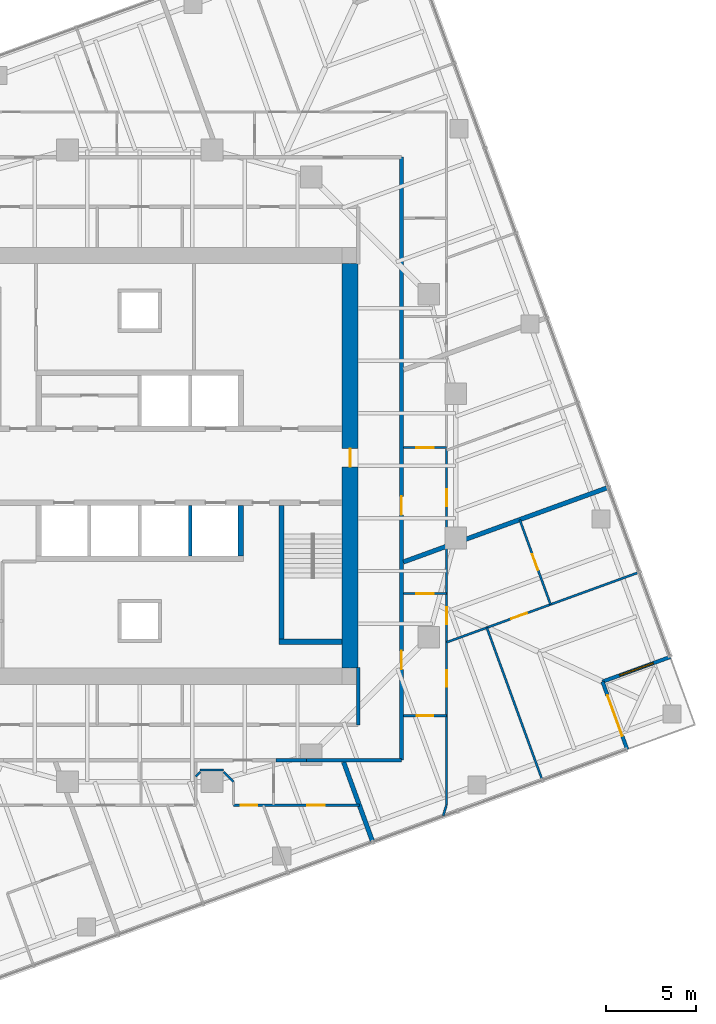
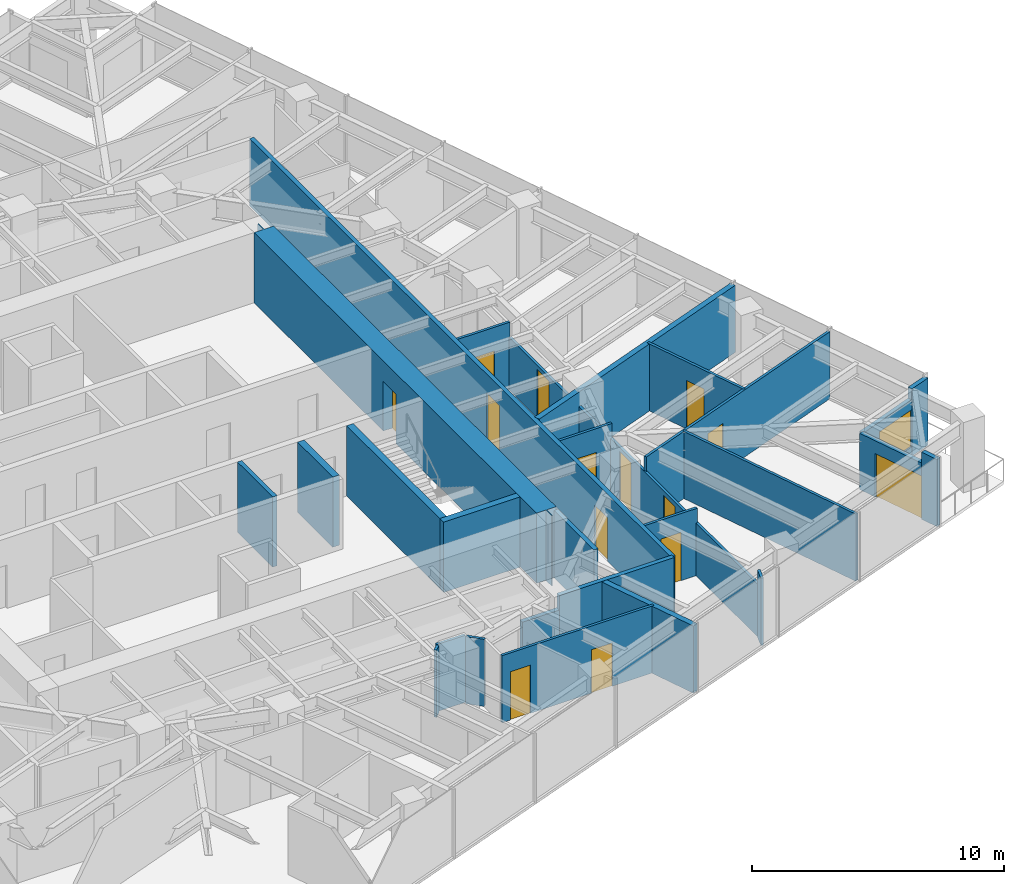
# One storey, part 9 of 13: 27 walls, 14 doors, 1 window, 15 openings.
"""IFC4 building model written with IfcOpenShell, lengths in metres."""

from ifc_helpers import new_model, si_unit, direction, frame, frame_2d, origin, place, context, subcontext, project, spatial, polyline, rectangle, outline, extrude, material, layer, layer_set, type_object, element, fill, save


model = new_model("IFC4")

# Units and contexts
model_context = context("Model", 3, precision=1e-05, world=origin(), true_north=direction((0.0, 1.0)))
body_context = subcontext(model_context, "Body", "Model", "MODEL_VIEW")
ifc_project = project(units=[si_unit("LENGTHUNIT", "METRE"), si_unit("AREAUNIT", "SQUARE_METRE"), si_unit("VOLUMEUNIT", "CUBIC_METRE"), si_unit("PLANEANGLEUNIT", "RADIAN"), si_unit("MASSUNIT", "GRAM", prefix="KILO")], contexts=[model_context])

# Site, building, storey
site_placement = place(None, origin())
site = spatial("IfcSite", under=ifc_project, at=site_placement, CompositionType="ELEMENT")
building_placement = place(site_placement, origin())
building = spatial("IfcBuilding", under=site, at=building_placement, Name="Torsade Residences", CompositionType="ELEMENT")
storey_placement = place(building_placement, frame((0.0, 0.0, 154.0)))
storey = spatial("IfcBuildingStorey", under=building, at=storey_placement, Name="L42", CompositionType="ELEMENT", Elevation=154.0)

# Walls
ifc_material_1 = material(Name="Concrete 80 MPa", Category="concrete")
ifc_layer_1 = layer(ifc_material_1, 0.300048828125)
ifc_layer_set_1 = layer_set([ifc_layer_1], Name="Concrete 80 MPa")
wall_type_1 = type_object("IfcWallType", Name="CORE INTERNAL WALL 300", PredefinedType="SHEAR", material=ifc_layer_set_1)
wall_1_placement = place(storey_placement, frame((45.60009765625, 27.800048828125, 0.0), z_axis=(0.0, 0.0, 1.0), x_axis=(0.0, -1.0, 0.0)))
element("IfcWall", 1, at=wall_1_placement, inside=storey, type_object=wall_type_1, Name="Core wall DS0 L42", PredefinedType="SHEAR", context=body_context, shape_type="SweptSolid", body=[
    extrude(rectangle(XDim=2.800048828125, YDim=0.300048828125, at=frame_2d((1.39990234375, 0.0))), origin(), (0.0, 0.0, 1.0), 3.39990234375),
])
wall_2_placement = place(storey_placement, frame((47.85009765625, 27.800048828125, 0.0), z_axis=(0.0, 0.0, 1.0), x_axis=(0.0, -1.0, 0.0)))
element("IfcWall", 2, at=wall_2_placement, inside=storey, type_object=wall_type_1, Name="Core wall ST2W L42", PredefinedType="SHEAR", context=body_context, shape_type="SweptSolid", body=[
    extrude(rectangle(XDim=7.699951171875, YDim=0.300048828125, at=frame_2d((3.85009765625, 0.0))), origin(), (0.0, 0.0, 1.0), 3.39990234375),
])
wall_3_placement = place(storey_placement, frame((51.199951171875, 20.25, 0.0), z_axis=(0.0, 0.0, 1.0), x_axis=(-1.0, 0.0, 0.0)))
element("IfcWall", 3, at=wall_3_placement, inside=storey, type_object=wall_type_1, Name="Core wall ST2S L42", PredefinedType="SHEAR", context=body_context, shape_type="SweptSolid", body=[
    extrude(rectangle(XDim=3.5, YDim=0.300048828125, at=frame_2d((1.75, 0.0))), origin(), (0.0, 0.0, 1.0), 3.39990234375),
])

# Wall, opening, door
ifc_material_2 = material(Name="Concrete 80 MPa", Category="concrete")
ifc_layer_2 = layer(ifc_material_2, 0.89990234375)
ifc_layer_set_2 = layer_set([ifc_layer_2], Name="Concrete 80 MPa")
wall_type_2 = type_object("IfcWallType", Name="CORE WALL 900", PredefinedType="SHEAR", material=ifc_layer_set_2)
wall_4_placement = place(storey_placement, frame((51.64990234375, 18.800048828125, 0.0), z_axis=(0.0, 0.0, 1.0), x_axis=(0.0, 1.0, 0.0)))
wall_4 = element("IfcWall", 4, at=wall_4_placement, inside=storey, type_object=wall_type_2, Name="Core wall E L42", PredefinedType="SHEAR", context=body_context, shape_type="SweptSolid", body=[
    extrude(outline(polyline([(0.0, -0.449951171875), (22.39990234375, -0.449951171875), (22.39990234375, -0.02490234375), (22.849853515625, -0.02490234375), (22.849853515625, 0.02490234375), (22.39990234375, 0.02490234375), (22.39990234375, 0.449951171875), (0.0, 0.449951171875), (0.0, 0.02490234375), (-0.449951171875, 0.02490234375), (-0.449951171875, -0.02490234375), (0.0, -0.02490234375), (0.0, -0.449951171875)])), origin(), (0.0, 0.0, 1.0), 3.39990234375),
])
opening_1_placement = place(wall_4_placement, frame((11.139892578125, 0.0, 0.0)))
opening_1 = element("IfcOpeningElement", 5, at=opening_1_placement, cuts=wall_4, Name="Opening D04", PredefinedType="OPENING", context=body_context, shape_type="SweptSolid", body=[
    extrude(rectangle(XDim=1.02001953125, YDim=2.39990234375, at=frame_2d((0.510009765625, 1.199951171875))), frame((0.0, 0.4599609375, 0.0), z_axis=(0.0, -1.0, 0.0), x_axis=(1.0, 0.0, 0.0)), (0.0, 0.0, 1.0), 0.919921875),
])
ifc_material_3 = material(Name="Steel-framed fire door", Category="steel")
door_type_1 = type_object("IfcDoorType", Name="LOBBY SMOKE DOOR 1020x2400", OperationType="NOTDEFINED", PredefinedType="DOOR", material=ifc_material_3)
door_1_placement = place(opening_1_placement, origin())
door_1 = element("IfcDoor", 6, at=door_1_placement, inside=storey, type_object=door_type_1, Name="Lift lobby door E L42", OperationType="SINGLE_SWING_LEFT", OverallHeight=2.39990234375, OverallWidth=1.02001953125, PredefinedType="DOOR", context=body_context, shape_type="SweptSolid", body=[
    extrude(rectangle(XDim=1.02001953125, YDim=2.39990234375, at=frame_2d((0.510009765625, 1.199951171875))), frame((0.0, 0.02490234375, 0.0), z_axis=(0.0, -1.0, 0.0), x_axis=(1.0, 0.0, 0.0)), (0.0, 0.0, 1.0), 0.050048828125),
])
fill(opening_1, door_1)

# Walls
ifc_material_4 = material(Name="Plasterboard on steel stud", Category="steel")
ifc_layer_3 = layer(ifc_material_4, 0.199951171875)
ifc_layer_set_3 = layer_set([ifc_layer_3], Name="Plasterboard on steel stud")
wall_type_3 = type_object("IfcWallType", Name="CORRIDOR WALL 200", PredefinedType="PARTITIONING", material=ifc_layer_set_3)
wall_5_placement = place(storey_placement, frame((47.558349609375, 13.699951171875, 0.0), z_axis=(0.0, 0.0, 1.0), x_axis=(1.0, 0.0, 0.0)))
element("IfcWall", 7, at=wall_5_placement, inside=storey, type_object=wall_type_3, Name="Corridor wall L42", PredefinedType="PARTITIONING", context=body_context, shape_type="SweptSolid", body=[
    extrude(rectangle(XDim=1.683349609375, YDim=0.199951171875, at=frame_2d((0.841796875, 0.0))), origin(), (0.0, 0.0, 1.0), 2.550048828125),
])
wall_6_placement = place(storey_placement, frame((49.24169921875, 13.699951171875, 0.0), z_axis=(0.0, 0.0, 1.0), x_axis=(1.0, 0.0, 0.0)))
element("IfcWall", 8, at=wall_6_placement, inside=storey, type_object=wall_type_3, Name="Corridor wall L42", PredefinedType="PARTITIONING", context=body_context, shape_type="SweptSolid", body=[
    extrude(rectangle(XDim=5.25830078125, YDim=0.199951171875, at=frame_2d((2.629150390625, 0.0))), origin(), (0.0, 0.0, 1.0), 3.25),
])

# Wall, openings, doors
wall_7_placement = place(storey_placement, frame((54.5, 13.699951171875, 0.0), z_axis=(0.0, 0.0, 1.0), x_axis=(0.0, 1.0, 0.0)))
wall_7 = element("IfcWall", 9, at=wall_7_placement, inside=storey, type_object=wall_type_3, Name="Corridor wall L42", PredefinedType="PARTITIONING", context=body_context, shape_type="SweptSolid", body=[
    extrude(rectangle(XDim=33.400146484375, YDim=0.199951171875, at=frame_2d((16.7001953125, 0.0))), origin(), (0.0, 0.0, 1.0), 3.25),
])
opening_2_placement = place(wall_7_placement, frame((5.02783203125, 0.0, 0.0)))
opening_2 = element("IfcOpeningElement", 10, at=opening_2_placement, cuts=wall_7, Name="Opening D01L", PredefinedType="OPENING", context=body_context, shape_type="SweptSolid", body=[
    extrude(rectangle(XDim=1.02001953125, YDim=2.10009765625, at=frame_2d((0.510009765625, 1.050048828125))), frame((0.0, 0.10986328125, 0.0), z_axis=(0.0, -1.0, 0.0), x_axis=(1.0, 0.0, 0.0)), (0.0, 0.0, 1.0), 0.219970703125),
])
opening_3_placement = place(wall_7_placement, frame((13.58740234375, 0.0, 0.0)))
opening_3 = element("IfcOpeningElement", 11, at=opening_3_placement, cuts=wall_7, Name="Opening D01", PredefinedType="OPENING", context=body_context, shape_type="SweptSolid", body=[
    extrude(rectangle(XDim=1.02001953125, YDim=2.340087890625, at=frame_2d((0.510009765625, 1.169921875))), frame((0.0, 0.10986328125, 0.0), z_axis=(0.0, -1.0, 0.0), x_axis=(1.0, 0.0, 0.0)), (0.0, 0.0, 1.0), 0.219970703125),
])
ifc_material_5 = material(Name="Solid-core timber fire door", Category="wood")
door_type_2 = type_object("IfcDoorType", Name="APARTMENT ENTRY DOOR 1020x2100", OperationType="NOTDEFINED", PredefinedType="DOOR", material=ifc_material_5)
door_2_placement = place(opening_2_placement, origin())
door_2 = element("IfcDoor", 12, at=door_2_placement, inside=storey, type_object=door_type_2, Name="Door Residential corridor to Kitchen and dining", OperationType="SINGLE_SWING_LEFT", OverallHeight=2.10009765625, OverallWidth=1.02001953125, PredefinedType="DOOR", context=body_context, shape_type="SweptSolid", body=[
    extrude(rectangle(XDim=1.02001953125, YDim=2.10009765625, at=frame_2d((0.510009765625, 1.050048828125))), frame((0.0, 0.02490234375, 0.0), z_axis=(0.0, -1.0, 0.0), x_axis=(1.0, 0.0, 0.0)), (0.0, 0.0, 1.0), 0.050048828125),
])
fill(opening_2, door_2)
ifc_material_6 = material(Name="Solid-core timber fire door", Category="wood")
door_type_3 = type_object("IfcDoorType", Name="APARTMENT ENTRY DOOR 1020x2340", OperationType="NOTDEFINED", PredefinedType="DOOR", material=ifc_material_6)
door_3_placement = place(opening_3_placement, origin())
door_3 = element("IfcDoor", 13, at=door_3_placement, inside=storey, type_object=door_type_3, Name="Door Residential corridor to Kitchen and dining", OperationType="SINGLE_SWING_RIGHT", OverallHeight=2.340087890625, OverallWidth=1.02001953125, PredefinedType="DOOR", context=body_context, shape_type="SweptSolid", body=[
    extrude(rectangle(XDim=1.02001953125, YDim=2.340087890625, at=frame_2d((0.510009765625, 1.169921875))), frame((0.0, 0.02490234375, 0.0), z_axis=(0.0, -1.0, 0.0), x_axis=(1.0, 0.0, 0.0)), (0.0, 0.0, 1.0), 0.050048828125),
])
fill(opening_3, door_3)

# Walls
wall_8_placement = place(storey_placement, frame((52.10009765625, 15.64990234375, 0.0), z_axis=(0.0, 0.0, 1.0), x_axis=(0.0, 1.0, 0.0)))
element("IfcWall", 14, at=wall_8_placement, inside=storey, type_object=wall_type_3, Name="Corridor wall L42", PredefinedType="PARTITIONING", context=body_context, shape_type="SweptSolid", body=[
    extrude(rectangle(XDim=3.170166015625, YDim=0.199951171875, at=frame_2d((1.5849609375, 0.0))), origin(), (0.0, 0.0, 1.0), 3.25),
])
ifc_material_7 = material(Name="Reinforced blockwork", Category="masonry")
ifc_layer_4 = layer(ifc_material_7, 0.199951171875)
ifc_layer_set_4 = layer_set([ifc_layer_4], Name="Reinforced blockwork")
wall_type_4 = type_object("IfcWallType", Name="LIFT SHAFT DIVIDING WALL 200", PredefinedType="SOLIDWALL", material=ifc_layer_set_4)
wall_9_placement = place(storey_placement, frame((42.800048828125, 27.800048828125, 0.0), z_axis=(0.0, 0.0, 1.0), x_axis=(0.0, -1.0, 0.0)))
element("IfcWall", 15, at=wall_9_placement, inside=storey, type_object=wall_type_4, Name="Core wall DS1 L42", PredefinedType="SOLIDWALL", context=body_context, shape_type="SweptSolid", body=[
    extrude(rectangle(XDim=2.800048828125, YDim=0.199951171875, at=frame_2d((1.39990234375, 0.0))), origin(), (0.0, 0.0, 1.0), 3.39990234375),
])

# Wall, openings, doors
ifc_material_8 = material(Name="Plasterboard on steel stud", Category="steel")
ifc_layer_5 = layer(ifc_material_8, 0.1201171875)
ifc_layer_set_5 = layer_set([ifc_layer_5], Name="Plasterboard on steel stud")
wall_type_5 = type_object("IfcWallType", Name="PARTITION 120", PredefinedType="PARTITIONING", material=ifc_layer_set_5)
wall_10_placement = place(storey_placement, frame((52.16357421875, 11.199951171875, 0.0), z_axis=(0.0, 0.0, 1.0), x_axis=(-1.0, 0.0, 0.0)))
wall_10 = element("IfcWall", 16, at=wall_10_placement, inside=storey, type_object=wall_type_5, Name="Partition L42", PredefinedType="PARTITIONING", context=body_context, shape_type="SweptSolid", body=[
    extrude(rectangle(XDim=6.963623046875, YDim=0.1201171875, at=frame_2d((3.48193359375, 0.0))), origin(), (0.0, 0.0, 1.0), 3.25),
])
opening_4_placement = place(wall_10_placement, frame((5.655517578125, 0.0, 0.0)))
opening_4 = element("IfcOpeningElement", 17, at=opening_4_placement, cuts=wall_10, Name="Opening D02", PredefinedType="OPENING", context=body_context, shape_type="SweptSolid", body=[
    extrude(rectangle(XDim=0.919921875, YDim=2.340087890625, at=frame_2d((0.4599609375, 1.169921875))), frame((0.0, 0.070068359375, 0.0), z_axis=(0.0, -1.0, 0.0), x_axis=(1.0, 0.0, 0.0)), (0.0, 0.0, 1.0), 0.14013671875),
])
opening_5_placement = place(wall_10_placement, frame((1.918701171875, 0.0, 0.0)))
opening_5 = element("IfcOpeningElement", 18, at=opening_5_placement, cuts=wall_10, Name="Opening D05", PredefinedType="OPENING", context=body_context, shape_type="SweptSolid", body=[
    extrude(rectangle(XDim=0.9599609375, YDim=2.10009765625, at=frame_2d((0.47998046875, 1.050048828125))), frame((0.0, 0.070068359375, 0.0), z_axis=(0.0, -1.0, 0.0), x_axis=(1.0, 0.0, 0.0)), (0.0, 0.0, 1.0), 0.14013671875),
])
ifc_material_9 = material(Name="Hollow-core timber door in a steel cavity frame", Category="steel")
door_type_4 = type_object("IfcDoorType", Name="BATHROOM CAVITY SLIDING DOOR 960", OperationType="SLIDING_TO_LEFT", PredefinedType="DOOR", material=ifc_material_9)
door_4_placement = place(opening_5_placement, origin())
door_4 = element("IfcDoor", 19, at=door_4_placement, inside=storey, type_object=door_type_4, Name="Door WC to Bedroom 2", OperationType="SLIDING_TO_LEFT", OverallHeight=2.10009765625, OverallWidth=0.9599609375, PredefinedType="DOOR", context=body_context, shape_type="SweptSolid", body=[
    extrude(rectangle(XDim=0.9599609375, YDim=2.10009765625, at=frame_2d((0.47998046875, 1.050048828125))), frame((0.0, 0.02490234375, 0.0), z_axis=(0.0, -1.0, 0.0), x_axis=(1.0, 0.0, 0.0)), (0.0, 0.0, 1.0), 0.050048828125),
])
fill(opening_5, door_4)
ifc_material_10 = material(Name="Hollow-core timber door", Category="wood")
door_type_5 = type_object("IfcDoorType", Name="INTERNAL DOOR 920x2340", OperationType="NOTDEFINED", PredefinedType="DOOR", material=ifc_material_10)
door_5_placement = place(opening_4_placement, origin())
door_5 = element("IfcDoor", 20, at=door_5_placement, inside=storey, type_object=door_type_5, Name="Door Kitchen and dining to Bedroom 1", OperationType="SINGLE_SWING_LEFT", OverallHeight=2.340087890625, OverallWidth=0.919921875, PredefinedType="DOOR", context=body_context, shape_type="SweptSolid", body=[
    extrude(rectangle(XDim=0.919921875, YDim=2.340087890625, at=frame_2d((0.4599609375, 1.169921875))), frame((0.0, 0.02490234375, 0.0), z_axis=(0.0, -1.0, 0.0), x_axis=(1.0, 0.0, 0.0)), (0.0, 0.0, 1.0), 0.050048828125),
])
fill(opening_4, door_5)

# Walls
wall_11_placement = place(storey_placement, frame((45.199951171875, 12.5, 0.0), z_axis=(0.0, 0.0, 1.0), x_axis=(-0.707106781187, 0.707106781187, 0.0)))
element("IfcWall", 21, at=wall_11_placement, inside=storey, type_object=wall_type_5, Name="Partition L42", PredefinedType="PARTITIONING", context=body_context, shape_type="SweptSolid", body=[
    extrude(rectangle(XDim=0.77783203125, YDim=0.1201171875, at=frame_2d((0.388916015625, 0.0))), origin(), (0.0, 0.0, 1.0), 3.25),
])
wall_12_placement = place(storey_placement, frame((44.64990234375, 13.14990234375, 0.0), z_axis=(0.0, 0.0, 1.0), x_axis=(-1.0, 0.0, 0.0)))
element("IfcWall", 22, at=wall_12_placement, inside=storey, type_object=wall_type_5, Name="Partition L42", PredefinedType="PARTITIONING", context=body_context, shape_type="SweptSolid", body=[
    extrude(rectangle(XDim=1.2998046875, YDim=0.1201171875, at=frame_2d((0.64990234375, 0.0))), origin(), (0.0, 0.0, 1.0), 3.25),
])
wall_13_placement = place(storey_placement, frame((43.35009765625, 13.050048828125, 0.0), z_axis=(0.0, 0.0, 1.0), x_axis=(-0.707106781187, -0.707106781187, 0.0)))
element("IfcWall", 23, at=wall_13_placement, inside=storey, type_object=wall_type_5, Name="Partition L42", PredefinedType="PARTITIONING", context=body_context, shape_type="SweptSolid", body=[
    extrude(rectangle(XDim=0.356689453125, YDim=0.1201171875, at=frame_2d((0.17822265625, 0.0))), origin(), (0.0, 0.0, 1.0), 3.25),
])

# Wall, opening, door
wall_14_placement = place(storey_placement, frame((57.0, 16.15478515625, 0.0), z_axis=(0.0, 0.0, 1.0), x_axis=(-1.0, 0.0, 0.0)))
wall_14 = element("IfcWall", 24, at=wall_14_placement, inside=storey, type_object=wall_type_5, Name="Partition L42", PredefinedType="PARTITIONING", context=body_context, shape_type="SweptSolid", body=[
    extrude(rectangle(XDim=2.39990234375, YDim=0.1201171875, at=frame_2d((1.199951171875, 0.0))), origin(), (0.0, 0.0, 1.0), 3.25),
])
opening_6_placement = place(wall_14_placement, frame((0.739990234375, 0.0, 0.0)))
opening_6 = element("IfcOpeningElement", 25, at=opening_6_placement, cuts=wall_14, Name="Opening D02", PredefinedType="OPENING", context=body_context, shape_type="SweptSolid", body=[
    extrude(rectangle(XDim=0.919921875, YDim=2.340087890625, at=frame_2d((0.4599609375, 1.169921875))), frame((0.0, 0.070068359375, 0.0), z_axis=(0.0, -1.0, 0.0), x_axis=(1.0, 0.0, 0.0)), (0.0, 0.0, 1.0), 0.14013671875),
])
door_6_placement = place(opening_6_placement, origin())
door_6 = element("IfcDoor", 26, at=door_6_placement, inside=storey, type_object=door_type_5, Name="Door Kitchen and dining to Scullery", OperationType="SINGLE_SWING_LEFT", OverallHeight=2.340087890625, OverallWidth=0.919921875, PredefinedType="DOOR", context=body_context, shape_type="SweptSolid", body=[
    extrude(rectangle(XDim=0.919921875, YDim=2.340087890625, at=frame_2d((0.4599609375, 1.169921875))), frame((0.0, 0.02490234375, 0.0), z_axis=(0.0, -1.0, 0.0), x_axis=(1.0, 0.0, 0.0)), (0.0, 0.0, 1.0), 0.050048828125),
])
fill(opening_6, door_6)

wall_15_placement = place(storey_placement, frame((54.60009765625, 22.920654296875, 0.0), z_axis=(0.0, 0.0, 1.0), x_axis=(1.0, 0.0, 0.0)))
wall_15 = element("IfcWall", 27, at=wall_15_placement, inside=storey, type_object=wall_type_5, Name="Partition L42", PredefinedType="PARTITIONING", context=body_context, shape_type="SweptSolid", body=[
    extrude(rectangle(XDim=2.39990234375, YDim=0.1201171875, at=frame_2d((1.199951171875, 0.0))), origin(), (0.0, 0.0, 1.0), 3.25),
])
opening_7_placement = place(wall_15_placement, frame((0.719970703125, 0.0, 0.0)))
opening_7 = element("IfcOpeningElement", 28, at=opening_7_placement, cuts=wall_15, Name="Opening D05", PredefinedType="OPENING", context=body_context, shape_type="SweptSolid", body=[
    extrude(rectangle(XDim=0.9599609375, YDim=2.10009765625, at=frame_2d((0.47998046875, 1.050048828125))), frame((0.0, 0.070068359375, 0.0), z_axis=(0.0, -1.0, 0.0), x_axis=(1.0, 0.0, 0.0)), (0.0, 0.0, 1.0), 0.14013671875),
])
door_7_placement = place(opening_7_placement, origin())
door_7 = element("IfcDoor", 29, at=door_7_placement, inside=storey, type_object=door_type_4, Name="Door Kitchen and dining to Bathroom", OperationType="SLIDING_TO_LEFT", OverallHeight=2.10009765625, OverallWidth=0.9599609375, PredefinedType="DOOR", context=body_context, shape_type="SweptSolid", body=[
    extrude(rectangle(XDim=0.9599609375, YDim=2.10009765625, at=frame_2d((0.47998046875, 1.050048828125))), frame((0.0, 0.02490234375, 0.0), z_axis=(0.0, -1.0, 0.0), x_axis=(1.0, 0.0, 0.0)), (0.0, 0.0, 1.0), 0.050048828125),
])
fill(opening_7, door_7)

# Wall, openings, doors
wall_16_placement = place(storey_placement, frame((57.0, 30.919677734375, 0.0), z_axis=(0.0, 0.0, 1.0), x_axis=(0.0, -1.0, 0.0)))
wall_16 = element("IfcWall", 30, at=wall_16_placement, inside=storey, type_object=wall_type_5, Name="Partition L42", PredefinedType="PARTITIONING", context=body_context, shape_type="SweptSolid", body=[
    extrude(rectangle(XDim=19.7197265625, YDim=0.1201171875, at=frame_2d((9.85986328125, 0.0))), origin(), (0.0, 0.0, 1.0), 2.550048828125),
])
opening_8_placement = place(wall_16_placement, frame((12.243408203125, 0.0, 0.0)))
opening_8 = element("IfcOpeningElement", 31, at=opening_8_placement, cuts=wall_16, Name="Opening D02", PredefinedType="OPENING", context=body_context, shape_type="SweptSolid", body=[
    extrude(rectangle(XDim=0.919921875, YDim=2.340087890625, at=frame_2d((0.4599609375, 1.169921875))), frame((0.0, 0.070068359375, 0.0), z_axis=(0.0, -1.0, 0.0), x_axis=(1.0, 0.0, 0.0)), (0.0, 0.0, 1.0), 0.14013671875),
])
opening_9_placement = place(wall_16_placement, frame((8.763671875, 0.0, 0.0)))
opening_9 = element("IfcOpeningElement", 32, at=opening_9_placement, cuts=wall_16, Name="Opening D02", PredefinedType="OPENING", context=body_context, shape_type="SweptSolid", body=[
    extrude(rectangle(XDim=0.919921875, YDim=2.340087890625, at=frame_2d((0.4599609375, 1.169921875))), frame((0.0, 0.070068359375, 0.0), z_axis=(0.0, -1.0, 0.0), x_axis=(1.0, 0.0, 0.0)), (0.0, 0.0, 1.0), 0.14013671875),
])
opening_10_placement = place(wall_16_placement, frame((2.22705078125, 0.0, 0.0)))
opening_10 = element("IfcOpeningElement", 33, at=opening_10_placement, cuts=wall_16, Name="Opening D02", PredefinedType="OPENING", context=body_context, shape_type="SweptSolid", body=[
    extrude(rectangle(XDim=0.919921875, YDim=2.340087890625, at=frame_2d((0.4599609375, 1.169921875))), frame((0.0, 0.070068359375, 0.0), z_axis=(0.0, -1.0, 0.0), x_axis=(1.0, 0.0, 0.0)), (0.0, 0.0, 1.0), 0.14013671875),
])
door_8_placement = place(opening_8_placement, origin())
door_8 = element("IfcDoor", 34, at=door_8_placement, inside=storey, type_object=door_type_5, Name="Door Kitchen and dining to Bedroom 1", OperationType="SINGLE_SWING_LEFT", OverallHeight=2.340087890625, OverallWidth=0.919921875, PredefinedType="DOOR", context=body_context, shape_type="SweptSolid", body=[
    extrude(rectangle(XDim=0.919921875, YDim=2.340087890625, at=frame_2d((0.4599609375, 1.169921875))), frame((0.0, 0.02490234375, 0.0), z_axis=(0.0, -1.0, 0.0), x_axis=(1.0, 0.0, 0.0)), (0.0, 0.0, 1.0), 0.050048828125),
])
fill(opening_8, door_8)
door_9_placement = place(opening_9_placement, origin())
door_9 = element("IfcDoor", 35, at=door_9_placement, inside=storey, type_object=door_type_5, Name="Door Kitchen and dining to Walk-in robe", OperationType="SINGLE_SWING_RIGHT", OverallHeight=2.340087890625, OverallWidth=0.919921875, PredefinedType="DOOR", context=body_context, shape_type="SweptSolid", body=[
    extrude(rectangle(XDim=0.919921875, YDim=2.340087890625, at=frame_2d((0.4599609375, 1.169921875))), frame((0.0, 0.02490234375, 0.0), z_axis=(0.0, -1.0, 0.0), x_axis=(1.0, 0.0, 0.0)), (0.0, 0.0, 1.0), 0.050048828125),
])
fill(opening_9, door_9)
door_10_placement = place(opening_10_placement, origin())
door_10 = element("IfcDoor", 36, at=door_10_placement, inside=storey, type_object=door_type_5, Name="Door Kitchen and dining to Living room", OperationType="SINGLE_SWING_RIGHT", OverallHeight=2.340087890625, OverallWidth=0.919921875, PredefinedType="DOOR", context=body_context, shape_type="SweptSolid", body=[
    extrude(rectangle(XDim=0.919921875, YDim=2.340087890625, at=frame_2d((0.4599609375, 1.169921875))), frame((0.0, 0.02490234375, 0.0), z_axis=(0.0, -1.0, 0.0), x_axis=(1.0, 0.0, 0.0)), (0.0, 0.0, 1.0), 0.050048828125),
])
fill(opening_10, door_10)

# Walls
wall_17_placement = place(storey_placement, frame((56.986572265625, 11.199951171875, 0.0), z_axis=(0.0, 0.0, 1.0), x_axis=(-0.290455219909, -0.956888585588, 0.0)))
element("IfcWall", 37, at=wall_17_placement, inside=storey, type_object=wall_type_5, Name="Partition L42", PredefinedType="PARTITIONING", context=body_context, shape_type="SweptSolid", body=[
    extrude(rectangle(XDim=0.605224609375, YDim=0.1201171875, at=frame_2d((0.302734375, 0.0))), origin(), (0.0, 0.0, 1.0), 3.25),
])
wall_18_placement = place(storey_placement, frame((62.290283203125, 12.615234375, 0.0), z_axis=(0.0, 0.0, 1.0), x_axis=(-0.342038393654, 0.939685978009, 0.0)))
element("IfcWall", 38, at=wall_18_placement, inside=storey, type_object=wall_type_5, Name="Partition L42", PredefinedType="PARTITIONING", context=body_context, shape_type="SweptSolid", body=[
    extrude(rectangle(XDim=8.960205078125, YDim=0.1201171875, at=frame_2d((4.47998046875, 0.0))), origin(), (0.0, 0.0, 1.0), 3.25),
])

# Wall, opening, door
wall_19_placement = place(storey_placement, frame((57.0, 20.224853515625, 0.0), z_axis=(0.0, 0.0, 1.0), x_axis=(0.939693965364, 0.342016449105, 0.0)))
wall_19 = element("IfcWall", 39, at=wall_19_placement, inside=storey, type_object=wall_type_5, Name="Partition L42", PredefinedType="PARTITIONING", context=body_context, shape_type="SweptSolid", body=[
    extrude(rectangle(XDim=11.328369140625, YDim=0.1201171875, at=frame_2d((5.6640625, 0.0))), origin(), (0.0, 0.0, 1.0), 3.25),
])
opening_11_placement = place(wall_19_placement, frame((3.812255859375, 0.0, 0.0)))
opening_11 = element("IfcOpeningElement", 40, at=opening_11_placement, cuts=wall_19, Name="Opening D02", PredefinedType="OPENING", context=body_context, shape_type="SweptSolid", body=[
    extrude(rectangle(XDim=0.919921875, YDim=2.340087890625, at=frame_2d((0.4599609375, 1.169921875))), frame((0.0, 0.070068359375, 0.0), z_axis=(0.0, -1.0, 0.0), x_axis=(1.0, 0.0, 0.0)), (0.0, 0.0, 1.0), 0.14013671875),
])
door_11_placement = place(opening_11_placement, origin())
door_11 = element("IfcDoor", 41, at=door_11_placement, inside=storey, type_object=door_type_5, Name="Door Walk-in robe to Living room", OperationType="SINGLE_SWING_RIGHT", OverallHeight=2.340087890625, OverallWidth=0.919921875, PredefinedType="DOOR", context=body_context, shape_type="SweptSolid", body=[
    extrude(rectangle(XDim=0.919921875, YDim=2.340087890625, at=frame_2d((0.4599609375, 1.169921875))), frame((0.0, 0.02490234375, 0.0), z_axis=(0.0, -1.0, 0.0), x_axis=(1.0, 0.0, 0.0)), (0.0, 0.0, 1.0), 0.050048828125),
])
fill(opening_11, door_11)

wall_20_placement = place(storey_placement, frame((62.756591796875, 22.320068359375, 0.0), z_axis=(0.0, 0.0, 1.0), x_axis=(-0.341993964619, 0.939702148643, 0.0)))
wall_20 = element("IfcWall", 42, at=wall_20_placement, inside=storey, type_object=wall_type_5, Name="Partition L42", PredefinedType="PARTITIONING", context=body_context, shape_type="SweptSolid", body=[
    extrude(rectangle(XDim=5.0, YDim=0.1201171875, at=frame_2d((2.5, 0.0))), origin(), (0.0, 0.0, 1.0), 3.25),
])
opening_12_placement = place(wall_20_placement, frame((2.0400390625, 0.0, 0.0)))
opening_12 = element("IfcOpeningElement", 43, at=opening_12_placement, cuts=wall_20, Name="Opening D02", PredefinedType="OPENING", context=body_context, shape_type="SweptSolid", body=[
    extrude(rectangle(XDim=0.919921875, YDim=2.340087890625, at=frame_2d((0.4599609375, 1.169921875))), frame((0.0, 0.070068359375, 0.0), z_axis=(0.0, -1.0, 0.0), x_axis=(1.0, 0.0, 0.0)), (0.0, 0.0, 1.0), 0.14013671875),
])
door_12_placement = place(opening_12_placement, origin())
door_12 = element("IfcDoor", 44, at=door_12_placement, inside=storey, type_object=door_type_5, Name="Door Walk-in robe to Bedroom 2", OperationType="SINGLE_SWING_RIGHT", OverallHeight=2.340087890625, OverallWidth=0.919921875, PredefinedType="DOOR", context=body_context, shape_type="SweptSolid", body=[
    extrude(rectangle(XDim=0.919921875, YDim=2.340087890625, at=frame_2d((0.4599609375, 1.169921875))), frame((0.0, 0.02490234375, 0.0), z_axis=(0.0, -1.0, 0.0), x_axis=(1.0, 0.0, 0.0)), (0.0, 0.0, 1.0), 0.050048828125),
])
fill(opening_12, door_12)

wall_21_placement = place(storey_placement, frame((54.60009765625, 31.011474609375, 0.0), z_axis=(0.0, 0.0, 1.0), x_axis=(1.0, 0.0, 0.0)))
wall_21 = element("IfcWall", 45, at=wall_21_placement, inside=storey, type_object=wall_type_5, Name="Partition L42", PredefinedType="PARTITIONING", context=body_context, shape_type="SweptSolid", body=[
    extrude(rectangle(XDim=2.39990234375, YDim=0.1201171875, at=frame_2d((1.199951171875, 0.0))), origin(), (0.0, 0.0, 1.0), 3.25),
])
opening_13_placement = place(wall_21_placement, frame((0.719970703125, 0.0, 0.0)))
opening_13 = element("IfcOpeningElement", 46, at=opening_13_placement, cuts=wall_21, Name="Opening D05", PredefinedType="OPENING", context=body_context, shape_type="SweptSolid", body=[
    extrude(rectangle(XDim=0.9599609375, YDim=2.10009765625, at=frame_2d((0.47998046875, 1.050048828125))), frame((0.0, 0.070068359375, 0.0), z_axis=(0.0, -1.0, 0.0), x_axis=(1.0, 0.0, 0.0)), (0.0, 0.0, 1.0), 0.14013671875),
])
door_13_placement = place(opening_13_placement, origin())
door_13 = element("IfcDoor", 47, at=door_13_placement, inside=storey, type_object=door_type_4, Name="Door Kitchen and dining to Bathroom", OperationType="SLIDING_TO_LEFT", OverallHeight=2.10009765625, OverallWidth=0.9599609375, PredefinedType="DOOR", context=body_context, shape_type="SweptSolid", body=[
    extrude(rectangle(XDim=0.9599609375, YDim=2.10009765625, at=frame_2d((0.47998046875, 1.050048828125))), frame((0.0, 0.02490234375, 0.0), z_axis=(0.0, -1.0, 0.0), x_axis=(1.0, 0.0, 0.0)), (0.0, 0.0, 1.0), 0.050048828125),
])
fill(opening_13, door_13)

# Walls
ifc_material_11 = material(Name="Masonry-lined stud party wall", Category="masonry")
ifc_layer_6 = layer(ifc_material_11, 0.25)
ifc_layer_set_6 = layer_set([ifc_layer_6], Name="Masonry-lined stud party wall")
wall_type_6 = type_object("IfcWallType", Name="PARTY WALL 250", PredefinedType="PARTITIONING", material=ifc_layer_set_6)
wall_22_placement = place(storey_placement, frame((52.906982421875, 9.157470703125, 0.0), z_axis=(0.0, 0.0, 1.0), x_axis=(-0.342012883883, 0.939695262975, 0.0)))
element("IfcWall", 48, at=wall_22_placement, inside=storey, type_object=wall_type_6, Name="Party wall L42", PredefinedType="PARTITIONING", context=body_context, shape_type="SweptSolid", body=[
    extrude(rectangle(XDim=4.721923828125, YDim=0.25, at=frame_2d((2.36083984375, 0.0))), origin(), (0.0, 0.0, 1.0), 3.25),
])
wall_23_placement = place(storey_placement, frame((65.972900390625, 28.8115234375, 0.0), z_axis=(0.0, 0.0, 1.0), x_axis=(-0.939693801585, -0.342016899091, 0.0)))
element("IfcWall", 49, at=wall_23_placement, inside=storey, type_object=wall_type_6, Name="Party wall L42", PredefinedType="PARTITIONING", context=body_context, shape_type="SweptSolid", body=[
    extrude(rectangle(XDim=12.09716796875, YDim=0.25, at=frame_2d((6.048583984375, 0.0))), origin(), (0.0, 0.0, 1.0), 3.25),
])
ifc_material_12 = material(Name="Stone-faced precast concrete 40 MPa panel", Category="masonry")
ifc_layer_7 = layer(ifc_material_12, 0.199951171875)
ifc_layer_set_7 = layer_set([ifc_layer_7], Name="Stone-faced precast concrete 40 MPa panel")
wall_type_7 = type_object("IfcWallType", Name="TERRACE WALL 200", PredefinedType="SOLIDWALL", material=ifc_layer_set_7)
wall_24_placement = place(storey_placement, frame((67.00244140625, 14.287841796875, 0.0), z_axis=(0.0, 0.0, 1.0), x_axis=(-0.342110593602, 0.939659694648, 0.0)))
element("IfcWall", 50, at=wall_24_placement, inside=storey, type_object=wall_type_7, Name="Terrace wall L42 2", PredefinedType="SOLIDWALL", context=body_context, shape_type="SweptSolid", body=[
    extrude(rectangle(XDim=0.800048828125, YDim=0.199951171875, at=frame_2d((0.39990234375, 0.0))), origin(), (0.0, 0.0, 1.0), 3.25),
])

# Wall, opening, door
wall_25_placement = place(storey_placement, frame((66.728759765625, 15.03955078125, 0.0), z_axis=(0.0, 0.0, 1.0), x_axis=(-0.342018703306, 0.939693144909, 0.0)))
wall_25 = element("IfcWall", 51, at=wall_25_placement, inside=storey, type_object=wall_type_7, Name="Terrace wall L42 2", PredefinedType="SOLIDWALL", context=body_context, shape_type="SweptSolid", body=[
    extrude(rectangle(XDim=3.199951171875, YDim=0.199951171875, at=frame_2d((1.60009765625, 0.0))), origin(), (0.0, 0.0, 1.0), 2.720947265625),
])
opening_14_placement = place(wall_25_placement, origin())
opening_14 = element("IfcOpeningElement", 52, at=opening_14_placement, cuts=wall_25, Name="Opening D10A", PredefinedType="OPENING", context=body_context, shape_type="SweptSolid", body=[
    extrude(rectangle(XDim=2.39990234375, YDim=2.10009765625, at=frame_2d((1.199951171875, 1.050048828125))), frame((0.0, 0.10986328125, 0.0), z_axis=(0.0, -1.0, 0.0), x_axis=(1.0, 0.0, 0.0)), (0.0, 0.0, 1.0), 0.219970703125),
])
ifc_material_13 = material(Name="Aluminium-framed glass door", Category="aluminium")
door_type_6 = type_object("IfcDoorType", Name="TERRACE SLIDING DOOR 2400x2100", OperationType="SLIDING_TO_LEFT", PredefinedType="DOOR", material=ifc_material_13)
door_14_placement = place(opening_14_placement, origin())
door_14 = element("IfcDoor", 53, at=door_14_placement, inside=storey, type_object=door_type_6, Name="Terrace door L42 2", OperationType="SLIDING_TO_LEFT", OverallHeight=2.10009765625, OverallWidth=2.39990234375, PredefinedType="DOOR", context=body_context, shape_type="SweptSolid", body=[
    extrude(rectangle(XDim=2.39990234375, YDim=2.10009765625, at=frame_2d((1.199951171875, 1.050048828125))), frame((0.0, 0.02490234375, 0.0), z_axis=(0.0, -1.0, 0.0), x_axis=(1.0, 0.0, 0.0)), (0.0, 0.0, 1.0), 0.050048828125),
])
fill(opening_14, door_14)

# Wall, opening, window
wall_26_placement = place(storey_placement, frame((65.63427734375, 18.046630859375, 0.0), z_axis=(0.0, 0.0, 1.0), x_axis=(0.939712609717, 0.341965219194, 0.0)))
wall_26 = element("IfcWall", 54, at=wall_26_placement, inside=storey, type_object=wall_type_7, Name="Terrace wall L42 3", PredefinedType="SOLIDWALL", context=body_context, shape_type="SweptSolid", body=[
    extrude(rectangle(XDim=3.0, YDim=0.199951171875, at=frame_2d((1.5, 0.0))), origin(), (0.0, 0.0, 1.0), 2.720947265625),
])
opening_15_placement = place(wall_26_placement, frame((1.0, 0.0, 0.449951171875)))
opening_15 = element("IfcOpeningElement", 55, at=opening_15_placement, cuts=wall_26, Name="Opening W1B", PredefinedType="OPENING", context=body_context, shape_type="SweptSolid", body=[
    extrude(rectangle(XDim=2.0, YDim=1.800048828125, at=frame_2d((1.0, 0.89990234375))), frame((0.0, 0.10986328125, 0.0), z_axis=(0.0, -1.0, 0.0), x_axis=(1.0, 0.0, 0.0)), (0.0, 0.0, 1.0), 0.219970703125),
])
ifc_material_14 = material(Name="Aluminium-framed glass window", Category="aluminium")
window_type = type_object("IfcWindowType", Name="TERRACE WINDOW 2000x1800", PartitioningType="SINGLE_PANEL", PredefinedType="WINDOW", material=ifc_material_14)
window_placement = place(opening_15_placement, origin())
window = element("IfcWindow", 56, at=window_placement, inside=storey, type_object=window_type, Name="Terrace window L42 3", OverallHeight=1.800048828125, OverallWidth=2.0, PartitioningType="SINGLE_PANEL", PredefinedType="WINDOW", context=body_context, shape_type="SweptSolid", body=[
    extrude(rectangle(XDim=2.0, YDim=1.800048828125, at=frame_2d((1.0, 0.89990234375))), frame((0.0, 0.030029296875, 0.0), z_axis=(0.0, -1.0, 0.0), x_axis=(1.0, 0.0, 0.0)), (0.0, 0.0, 1.0), 0.06005859375),
])
fill(opening_15, window)

# Wall
wall_27_placement = place(storey_placement, frame((68.453369140625, 19.072509765625, 0.0), z_axis=(0.0, 0.0, 1.0), x_axis=(0.939686455819, 0.342037080957, 0.0)))
element("IfcWall", 57, at=wall_27_placement, inside=storey, type_object=wall_type_7, Name="Terrace wall L42 3", PredefinedType="SOLIDWALL", context=body_context, shape_type="SweptSolid", body=[
    extrude(rectangle(XDim=1.0, YDim=0.199951171875, at=frame_2d((0.5, 0.0))), origin(), (0.0, 0.0, 1.0), 3.25),
])

save(model, "model.ifc")
